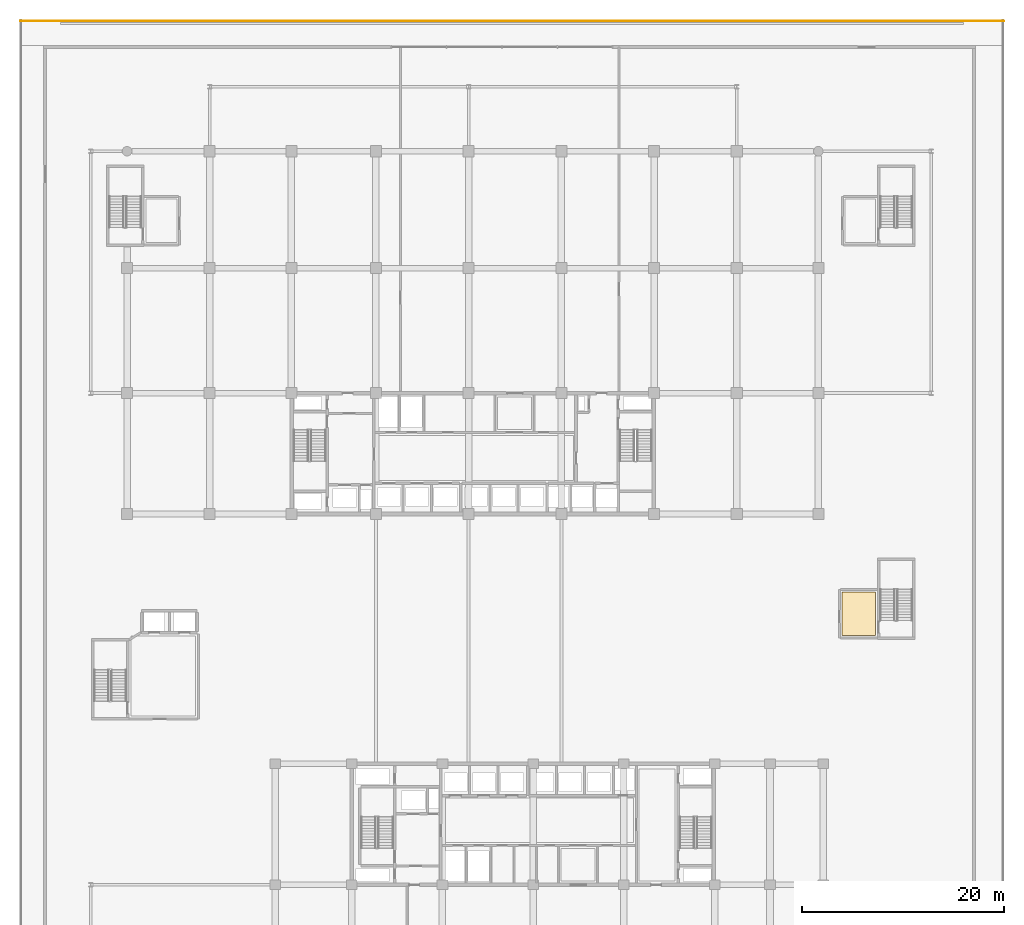
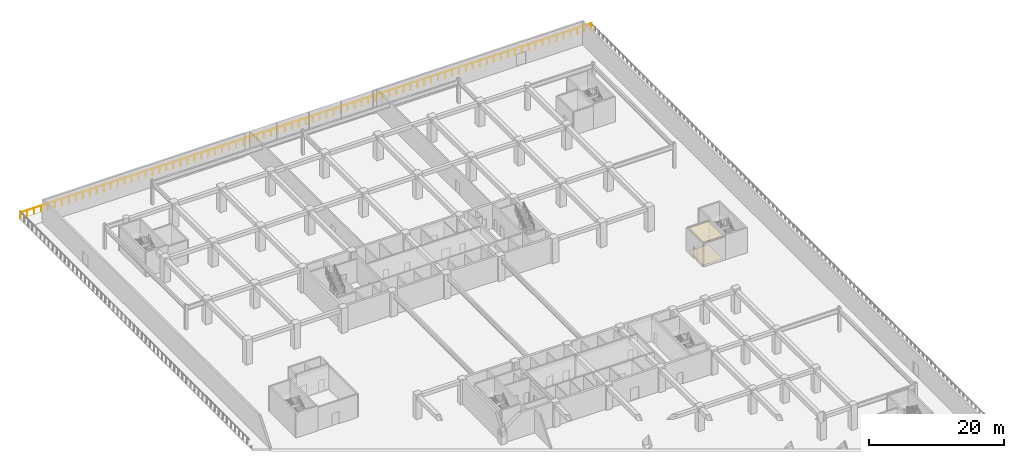
# One storey, part 38 of 40: 2 coverings, 1 railing.
"""IFC4 building model written with IfcOpenShell, lengths in metres."""

from ifc_helpers import new_model, si_unit, direction, frame, origin, origin_2d, place, context, subcontext, project, spatial, polyline, circle, outline, extrude, material, layer, layer_set, type_object, element, save


model = new_model("IFC4")

# Units and contexts
model_context = context("Model", 3, precision=1e-05, world=origin(), true_north=direction((0.0, 1.0)))
body_context = subcontext(model_context, "Body", "Model", "MODEL_VIEW")
ifc_project = project(units=[si_unit("LENGTHUNIT", "METRE"), si_unit("AREAUNIT", "SQUARE_METRE"), si_unit("VOLUMEUNIT", "CUBIC_METRE"), si_unit("PLANEANGLEUNIT", "RADIAN"), si_unit("MASSUNIT", "GRAM", prefix="KILO")], contexts=[model_context])

# Site, building, storey
site_placement = place(None, origin())
site = spatial("IfcSite", under=ifc_project, at=site_placement, CompositionType="ELEMENT")
building_placement = place(site_placement, origin())
building = spatial("IfcBuilding", under=site, at=building_placement, Name="Korimba Cascade Residences", CompositionType="ELEMENT")
storey_placement = place(building_placement, frame((0.0, 0.0, 14.5)))
storey = spatial("IfcBuildingStorey", under=building, at=storey_placement, Name="L03", CompositionType="ELEMENT", Elevation=14.5)

# Coverings
ifc_material_1 = material(Name="Perforated Acoustic Gypsum Ceiling", Category="gypsum")
ifc_layer_1 = layer(ifc_material_1, 0.02490234375)
ifc_layer_set_1 = layer_set([ifc_layer_1], Name="Perforated Acoustic Gypsum Ceiling")
covering_type_1 = type_object("IfcCoveringType", Name="COV-CLG-AC", PredefinedType="CEILING", material=ifc_layer_set_1)
covering_1_placement = place(storey_placement, frame((0.0, 0.0, 4.155029296875)))
element("IfcCovering", 1, at=covering_1_placement, inside=storey, type_object=covering_type_1, Name="L03 Suspended Acoustic Ceiling L03-PLE", PredefinedType="CEILING", context=body_context, shape_type="SweptSolid", body=[
    extrude(outline(polyline([(130.75, 43.14990234375), (134.050048828125, 43.14990234375), (134.050048828125, 47.449951171875), (130.75, 47.449951171875), (130.75, 43.14990234375)])), origin(), (0.0, 0.0, 1.0), 0.02490234375),
])
ifc_material_2 = material(Name="Honed Travertine Stone Flooring", Category="masonry")
ifc_layer_2 = layer(ifc_material_2, 0.02490234375)
ifc_layer_set_2 = layer_set([ifc_layer_2], Name="Honed Travertine Stone Flooring")
covering_type_2 = type_object("IfcCoveringType", Name="COV-FLR-STN", PredefinedType="FLOORING", material=ifc_layer_set_2)
covering_2_placement = place(storey_placement, origin())
element("IfcCovering", 2, at=covering_2_placement, inside=storey, type_object=covering_type_2, Name="L03 Honed Travertine Stone Flooring L03-PLE", PredefinedType="FLOORING", context=body_context, shape_type="SweptSolid", body=[
    extrude(outline(polyline([(130.75, 43.14990234375), (134.050048828125, 43.14990234375), (134.050048828125, 47.449951171875), (130.75, 47.449951171875), (130.75, 43.14990234375)])), origin(), (0.0, 0.0, 1.0), 0.02490234375),
])

# Railing
ifc_material_3 = material(Name="Painted Galvanised Steel Terrace Guardrail", Category="steel")
railing_type = type_object("IfcRailingType", Name="RLG-TER-1150", PredefinedType="GUARDRAIL", material=ifc_material_3)
railing_placement = place(storey_placement, frame((146.800048828125, 104.1201171875, 0.0)))
element("IfcRailing", 3, at=railing_placement, inside=storey, type_object=railing_type, Name="L03 Perimeter Guardrail RLG-L03-TER-03", PredefinedType="GUARDRAIL", context=body_context, shape_type="SweptSolid", body=[
    extrude(circle(Radius=0.02392578125, at=origin_2d()), frame((0.0, 0.0, 1.1259765625), z_axis=(-1.0, 0.0, 0.0), x_axis=(0.0, -1.0, 0.0)), (0.0, 0.0, 1.0), 97.60009765625),
    extrude(circle(Radius=0.02099609375, at=origin_2d()), origin(), (0.0, 0.0, 1.0), 1.101806640625),
    extrude(circle(Radius=0.02099609375, at=origin_2d()), frame((-1.190185546875, 0.0, 0.0)), (0.0, 0.0, 1.0), 1.101806640625),
    extrude(circle(Radius=0.02099609375, at=origin_2d()), frame((-2.38037109375, 0.0, 0.0)), (0.0, 0.0, 1.0), 1.101806640625),
    extrude(circle(Radius=0.02099609375, at=origin_2d()), frame((-3.57080078125, 0.0, 0.0)), (0.0, 0.0, 1.0), 1.101806640625),
    extrude(circle(Radius=0.02099609375, at=origin_2d()), frame((-4.760986328125, 0.0, 0.0)), (0.0, 0.0, 1.0), 1.101806640625),
    extrude(circle(Radius=0.02099609375, at=origin_2d()), frame((-5.951171875, 0.0, 0.0)), (0.0, 0.0, 1.0), 1.101806640625),
    extrude(circle(Radius=0.02099609375, at=origin_2d()), frame((-7.141357421875, 0.0, 0.0)), (0.0, 0.0, 1.0), 1.101806640625),
    extrude(circle(Radius=0.02099609375, at=origin_2d()), frame((-8.331787109375, 0.0, 0.0)), (0.0, 0.0, 1.0), 1.101806640625),
    extrude(circle(Radius=0.02099609375, at=origin_2d()), frame((-9.52197265625, 0.0, 0.0)), (0.0, 0.0, 1.0), 1.101806640625),
    extrude(circle(Radius=0.02099609375, at=origin_2d()), frame((-10.712158203125, 0.0, 0.0)), (0.0, 0.0, 1.0), 1.101806640625),
    extrude(circle(Radius=0.02099609375, at=origin_2d()), frame((-11.90234375, 0.0, 0.0)), (0.0, 0.0, 1.0), 1.101806640625),
    extrude(circle(Radius=0.02099609375, at=origin_2d()), frame((-13.0927734375, 0.0, 0.0)), (0.0, 0.0, 1.0), 1.101806640625),
    extrude(circle(Radius=0.02099609375, at=origin_2d()), frame((-14.282958984375, 0.0, 0.0)), (0.0, 0.0, 1.0), 1.101806640625),
    extrude(circle(Radius=0.02099609375, at=origin_2d()), frame((-15.47314453125, 0.0, 0.0)), (0.0, 0.0, 1.0), 1.101806640625),
    extrude(circle(Radius=0.02099609375, at=origin_2d()), frame((-16.663330078125, 0.0, 0.0)), (0.0, 0.0, 1.0), 1.101806640625),
    extrude(circle(Radius=0.02099609375, at=origin_2d()), frame((-17.853759765625, 0.0, 0.0)), (0.0, 0.0, 1.0), 1.101806640625),
    extrude(circle(Radius=0.02099609375, at=origin_2d()), frame((-19.0439453125, 0.0, 0.0)), (0.0, 0.0, 1.0), 1.101806640625),
    extrude(circle(Radius=0.02099609375, at=origin_2d()), frame((-20.234130859375, 0.0, 0.0)), (0.0, 0.0, 1.0), 1.101806640625),
    extrude(circle(Radius=0.02099609375, at=origin_2d()), frame((-21.42431640625, 0.0, 0.0)), (0.0, 0.0, 1.0), 1.101806640625),
    extrude(circle(Radius=0.02099609375, at=origin_2d()), frame((-22.61474609375, 0.0, 0.0)), (0.0, 0.0, 1.0), 1.101806640625),
    extrude(circle(Radius=0.02099609375, at=origin_2d()), frame((-23.804931640625, 0.0, 0.0)), (0.0, 0.0, 1.0), 1.101806640625),
    extrude(circle(Radius=0.02099609375, at=origin_2d()), frame((-24.9951171875, 0.0, 0.0)), (0.0, 0.0, 1.0), 1.101806640625),
    extrude(circle(Radius=0.02099609375, at=origin_2d()), frame((-26.185302734375, 0.0, 0.0)), (0.0, 0.0, 1.0), 1.101806640625),
    extrude(circle(Radius=0.02099609375, at=origin_2d()), frame((-27.375732421875, 0.0, 0.0)), (0.0, 0.0, 1.0), 1.101806640625),
    extrude(circle(Radius=0.02099609375, at=origin_2d()), frame((-28.56591796875, 0.0, 0.0)), (0.0, 0.0, 1.0), 1.101806640625),
    extrude(circle(Radius=0.02099609375, at=origin_2d()), frame((-29.756103515625, 0.0, 0.0)), (0.0, 0.0, 1.0), 1.101806640625),
    extrude(circle(Radius=0.02099609375, at=origin_2d()), frame((-30.9462890625, 0.0, 0.0)), (0.0, 0.0, 1.0), 1.101806640625),
    extrude(circle(Radius=0.02099609375, at=origin_2d()), frame((-32.13671875, 0.0, 0.0)), (0.0, 0.0, 1.0), 1.101806640625),
    extrude(circle(Radius=0.02099609375, at=origin_2d()), frame((-33.326904296875, 0.0, 0.0)), (0.0, 0.0, 1.0), 1.101806640625),
    extrude(circle(Radius=0.02099609375, at=origin_2d()), frame((-34.51708984375, 0.0, 0.0)), (0.0, 0.0, 1.0), 1.101806640625),
    extrude(circle(Radius=0.02099609375, at=origin_2d()), frame((-35.707275390625, 0.0, 0.0)), (0.0, 0.0, 1.0), 1.101806640625),
    extrude(circle(Radius=0.02099609375, at=origin_2d()), frame((-36.897705078125, 0.0, 0.0)), (0.0, 0.0, 1.0), 1.101806640625),
    extrude(circle(Radius=0.02099609375, at=origin_2d()), frame((-38.087890625, 0.0, 0.0)), (0.0, 0.0, 1.0), 1.101806640625),
    extrude(circle(Radius=0.02099609375, at=origin_2d()), frame((-39.278076171875, 0.0, 0.0)), (0.0, 0.0, 1.0), 1.101806640625),
    extrude(circle(Radius=0.02099609375, at=origin_2d()), frame((-40.46826171875, 0.0, 0.0)), (0.0, 0.0, 1.0), 1.101806640625),
    extrude(circle(Radius=0.02099609375, at=origin_2d()), frame((-41.65869140625, 0.0, 0.0)), (0.0, 0.0, 1.0), 1.101806640625),
    extrude(circle(Radius=0.02099609375, at=origin_2d()), frame((-42.848876953125, 0.0, 0.0)), (0.0, 0.0, 1.0), 1.101806640625),
    extrude(circle(Radius=0.02099609375, at=origin_2d()), frame((-44.0390625, 0.0, 0.0)), (0.0, 0.0, 1.0), 1.101806640625),
    extrude(circle(Radius=0.02099609375, at=origin_2d()), frame((-45.229248046875, 0.0, 0.0)), (0.0, 0.0, 1.0), 1.101806640625),
    extrude(circle(Radius=0.02099609375, at=origin_2d()), frame((-46.419677734375, 0.0, 0.0)), (0.0, 0.0, 1.0), 1.101806640625),
    extrude(circle(Radius=0.02099609375, at=origin_2d()), frame((-47.60986328125, 0.0, 0.0)), (0.0, 0.0, 1.0), 1.101806640625),
    extrude(circle(Radius=0.02099609375, at=origin_2d()), frame((-48.800048828125, 0.0, 0.0)), (0.0, 0.0, 1.0), 1.101806640625),
    extrude(circle(Radius=0.02099609375, at=origin_2d()), frame((-49.990234375, 0.0, 0.0)), (0.0, 0.0, 1.0), 1.101806640625),
    extrude(circle(Radius=0.02099609375, at=origin_2d()), frame((-51.180419921875, 0.0, 0.0)), (0.0, 0.0, 1.0), 1.101806640625),
    extrude(circle(Radius=0.02099609375, at=origin_2d()), frame((-52.370849609375, 0.0, 0.0)), (0.0, 0.0, 1.0), 1.101806640625),
    extrude(circle(Radius=0.02099609375, at=origin_2d()), frame((-53.56103515625, 0.0, 0.0)), (0.0, 0.0, 1.0), 1.101806640625),
    extrude(circle(Radius=0.02099609375, at=origin_2d()), frame((-54.751220703125, 0.0, 0.0)), (0.0, 0.0, 1.0), 1.101806640625),
    extrude(circle(Radius=0.02099609375, at=origin_2d()), frame((-55.94140625, 0.0, 0.0)), (0.0, 0.0, 1.0), 1.101806640625),
    extrude(circle(Radius=0.02099609375, at=origin_2d()), frame((-57.1318359375, 0.0, 0.0)), (0.0, 0.0, 1.0), 1.101806640625),
    extrude(circle(Radius=0.02099609375, at=origin_2d()), frame((-58.322021484375, 0.0, 0.0)), (0.0, 0.0, 1.0), 1.101806640625),
    extrude(circle(Radius=0.02099609375, at=origin_2d()), frame((-59.51220703125, 0.0, 0.0)), (0.0, 0.0, 1.0), 1.101806640625),
    extrude(circle(Radius=0.02099609375, at=origin_2d()), frame((-60.702392578125, 0.0, 0.0)), (0.0, 0.0, 1.0), 1.101806640625),
    extrude(circle(Radius=0.02099609375, at=origin_2d()), frame((-61.892822265625, 0.0, 0.0)), (0.0, 0.0, 1.0), 1.101806640625),
    extrude(circle(Radius=0.02099609375, at=origin_2d()), frame((-63.0830078125, 0.0, 0.0)), (0.0, 0.0, 1.0), 1.101806640625),
    extrude(circle(Radius=0.02099609375, at=origin_2d()), frame((-64.273193359375, 0.0, 0.0)), (0.0, 0.0, 1.0), 1.101806640625),
    extrude(circle(Radius=0.02099609375, at=origin_2d()), frame((-65.46337890625, 0.0, 0.0)), (0.0, 0.0, 1.0), 1.101806640625),
    extrude(circle(Radius=0.02099609375, at=origin_2d()), frame((-66.65380859375, 0.0, 0.0)), (0.0, 0.0, 1.0), 1.101806640625),
    extrude(circle(Radius=0.02099609375, at=origin_2d()), frame((-67.843994140625, 0.0, 0.0)), (0.0, 0.0, 1.0), 1.101806640625),
    extrude(circle(Radius=0.02099609375, at=origin_2d()), frame((-69.0341796875, 0.0, 0.0)), (0.0, 0.0, 1.0), 1.101806640625),
    extrude(circle(Radius=0.02099609375, at=origin_2d()), frame((-70.224365234375, 0.0, 0.0)), (0.0, 0.0, 1.0), 1.101806640625),
    extrude(circle(Radius=0.02099609375, at=origin_2d()), frame((-71.414794921875, 0.0, 0.0)), (0.0, 0.0, 1.0), 1.101806640625),
    extrude(circle(Radius=0.02099609375, at=origin_2d()), frame((-72.60498046875, 0.0, 0.0)), (0.0, 0.0, 1.0), 1.101806640625),
    extrude(circle(Radius=0.02099609375, at=origin_2d()), frame((-73.795166015625, 0.0, 0.0)), (0.0, 0.0, 1.0), 1.101806640625),
    extrude(circle(Radius=0.02099609375, at=origin_2d()), frame((-74.9853515625, 0.0, 0.0)), (0.0, 0.0, 1.0), 1.101806640625),
    extrude(circle(Radius=0.02099609375, at=origin_2d()), frame((-76.17578125, 0.0, 0.0)), (0.0, 0.0, 1.0), 1.101806640625),
    extrude(circle(Radius=0.02099609375, at=origin_2d()), frame((-77.365966796875, 0.0, 0.0)), (0.0, 0.0, 1.0), 1.101806640625),
    extrude(circle(Radius=0.02099609375, at=origin_2d()), frame((-78.55615234375, 0.0, 0.0)), (0.0, 0.0, 1.0), 1.101806640625),
    extrude(circle(Radius=0.02099609375, at=origin_2d()), frame((-79.746337890625, 0.0, 0.0)), (0.0, 0.0, 1.0), 1.101806640625),
    extrude(circle(Radius=0.02099609375, at=origin_2d()), frame((-80.936767578125, 0.0, 0.0)), (0.0, 0.0, 1.0), 1.101806640625),
    extrude(circle(Radius=0.02099609375, at=origin_2d()), frame((-82.126953125, 0.0, 0.0)), (0.0, 0.0, 1.0), 1.101806640625),
    extrude(circle(Radius=0.02099609375, at=origin_2d()), frame((-83.317138671875, 0.0, 0.0)), (0.0, 0.0, 1.0), 1.101806640625),
    extrude(circle(Radius=0.02099609375, at=origin_2d()), frame((-84.50732421875, 0.0, 0.0)), (0.0, 0.0, 1.0), 1.101806640625),
    extrude(circle(Radius=0.02099609375, at=origin_2d()), frame((-85.69775390625, 0.0, 0.0)), (0.0, 0.0, 1.0), 1.101806640625),
    extrude(circle(Radius=0.02099609375, at=origin_2d()), frame((-86.887939453125, 0.0, 0.0)), (0.0, 0.0, 1.0), 1.101806640625),
    extrude(circle(Radius=0.02099609375, at=origin_2d()), frame((-88.078125, 0.0, 0.0)), (0.0, 0.0, 1.0), 1.101806640625),
    extrude(circle(Radius=0.02099609375, at=origin_2d()), frame((-89.268310546875, 0.0, 0.0)), (0.0, 0.0, 1.0), 1.101806640625),
    extrude(circle(Radius=0.02099609375, at=origin_2d()), frame((-90.458740234375, 0.0, 0.0)), (0.0, 0.0, 1.0), 1.101806640625),
    extrude(circle(Radius=0.02099609375, at=origin_2d()), frame((-91.64892578125, 0.0, 0.0)), (0.0, 0.0, 1.0), 1.101806640625),
    extrude(circle(Radius=0.02099609375, at=origin_2d()), frame((-92.839111328125, 0.0, 0.0)), (0.0, 0.0, 1.0), 1.101806640625),
    extrude(circle(Radius=0.02099609375, at=origin_2d()), frame((-94.029296875, 0.0, 0.0)), (0.0, 0.0, 1.0), 1.101806640625),
    extrude(circle(Radius=0.02099609375, at=origin_2d()), frame((-95.2197265625, 0.0, 0.0)), (0.0, 0.0, 1.0), 1.101806640625),
    extrude(circle(Radius=0.02099609375, at=origin_2d()), frame((-96.409912109375, 0.0, 0.0)), (0.0, 0.0, 1.0), 1.101806640625),
    extrude(circle(Radius=0.02099609375, at=origin_2d()), frame((-97.60009765625, 0.0, 0.0)), (0.0, 0.0, 1.0), 1.101806640625),
])

save(model, "model.ifc")
